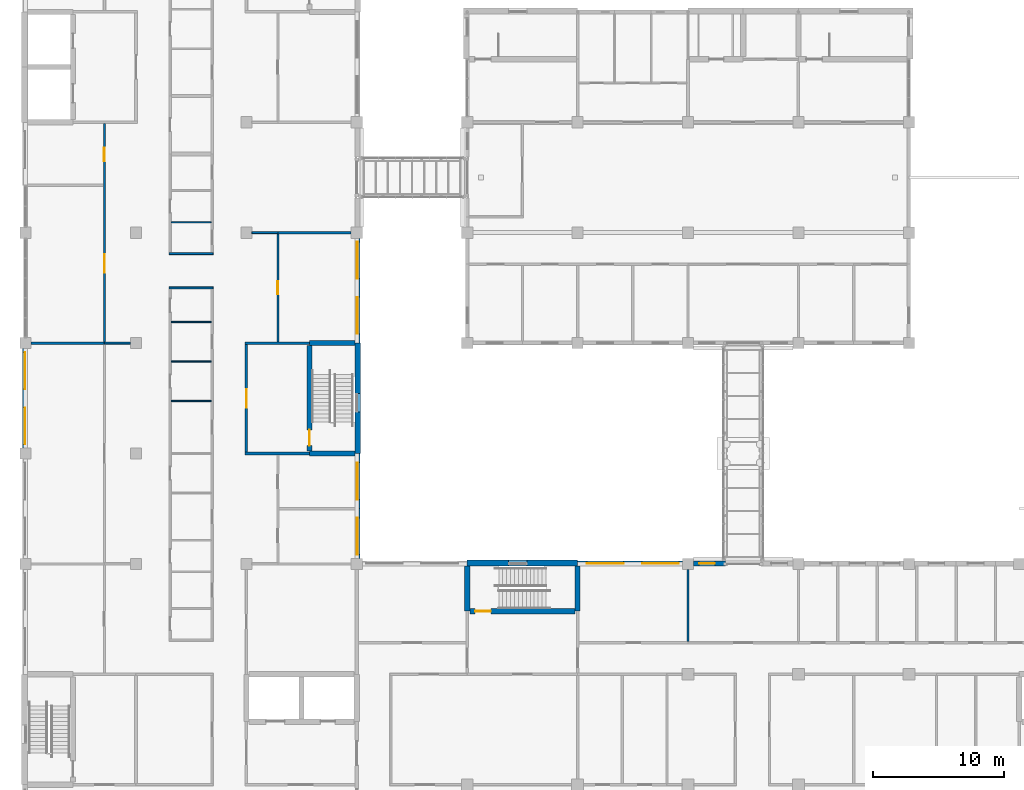
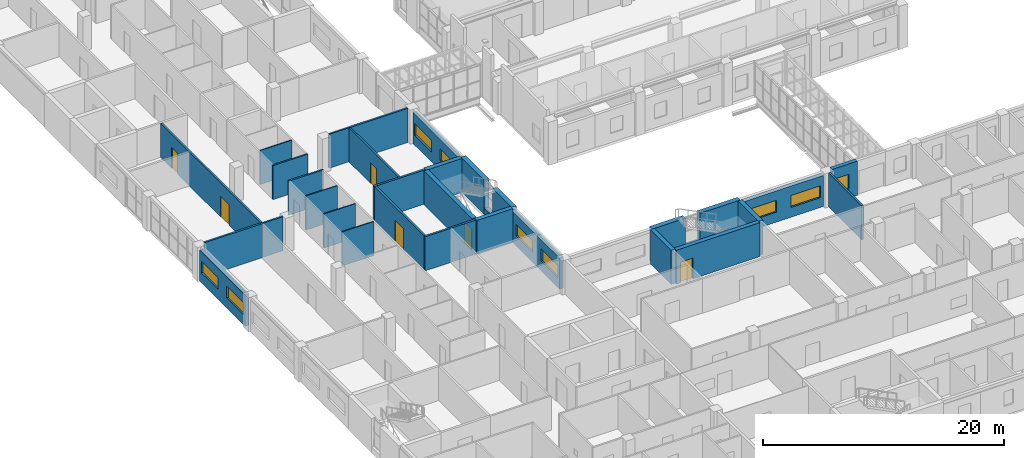
# One storey, part 56 of 94: 34 walls, 9 windows, 6 doors, 15 openings.
"""IFC4 building model written with IfcOpenShell, lengths in metres."""

from ifc_helpers import new_model, si_unit, direction, frame, frame_2d, origin, place, context, subcontext, project, spatial, rectangle, extrude, material, layer, layer_set, type_object, element, fill, save


model = new_model("IFC4")

# Units and contexts
model_context = context("Model", 3, precision=1e-05, world=origin(), true_north=direction((0.0, 1.0)))
body_context = subcontext(model_context, "Body", "Model", "MODEL_VIEW")
ifc_project = project(units=[si_unit("LENGTHUNIT", "METRE"), si_unit("AREAUNIT", "SQUARE_METRE"), si_unit("VOLUMEUNIT", "CUBIC_METRE"), si_unit("PLANEANGLEUNIT", "RADIAN"), si_unit("MASSUNIT", "GRAM", prefix="KILO")], contexts=[model_context])

# Site, building, storey
site_placement = place(None, origin())
site = spatial("IfcSite", under=ifc_project, at=site_placement, CompositionType="ELEMENT")
building_placement = place(site_placement, origin())
building = spatial("IfcBuilding", under=site, at=building_placement, Name="Yavir Park General Hospital", CompositionType="ELEMENT")
storey_placement = place(building_placement, frame((0.0, 0.0, 4.5)))
storey = spatial("IfcBuildingStorey", under=building, at=storey_placement, Name="L01", CompositionType="ELEMENT", Elevation=4.5)

# Walls
ifc_material_1 = material(Name="Double-leaf gypsum board acoustic partition on staggered studs")
ifc_layer_1 = layer(ifc_material_1, 0.175048828125)
ifc_layer_set_1 = layer_set([ifc_layer_1], Name="Double-leaf gypsum board acoustic partition on staggered studs")
wall_type_1 = type_object("IfcWallType", Name="Acoustic partition 175", PredefinedType="PARTITIONING", material=ifc_layer_set_1)
for number, where, z_axis, x_axis, name in (
    (1, (0.425048828125, 50.39990234375, 0.0), (0.0, 0.0, 1.0), (1.0, 0.0, 0.0), "AP175 L01-153"),
    (2, (19.199951171875, 58.800048828125, 0.0), (0.0, 0.0, 1.0), (1.0, 0.0, 0.0), "AP175 L01-173"),
):
    element("IfcWall", number, at=place(storey_placement, frame(where, z_axis=z_axis, x_axis=x_axis)), inside=storey, type_object=wall_type_1, Name=name, PredefinedType="PARTITIONING", context=body_context, shape_type="SweptSolid", body=[
        extrude(rectangle(XDim=5.574951171875, YDim=0.175048828125, at=frame_2d((2.78759765625, 0.0))), origin(), (0.0, 0.0, 1.0), 3.449951171875),
    ])

# Wall, openings, doors
wall_1_placement = place(storey_placement, frame((6.0, 50.487548828125, 0.0), z_axis=(0.0, 0.0, 1.0), x_axis=(0.0, 1.0, 0.0)))
wall_1 = element("IfcWall", 3, at=wall_1_placement, inside=storey, type_object=wall_type_1, Name="AP175 L01-280", PredefinedType="PARTITIONING", context=body_context, shape_type="SweptSolid", body=[
    extrude(rectangle(XDim=16.612548828125, YDim=0.175048828125, at=frame_2d((8.30615234375, 0.0))), origin(), (0.0, 0.0, 1.0), 3.449951171875),
])
opening_1_placement = place(wall_1_placement, frame((5.25634765625, 0.0, 0.0)))
opening_1 = element("IfcOpeningElement", 4, at=opening_1_placement, cuts=wall_1, Name="Opening L01.D170", PredefinedType="OPENING", context=body_context, shape_type="SweptSolid", body=[
    extrude(rectangle(XDim=1.39990234375, YDim=2.10009765625, at=frame_2d((0.699951171875, 1.050048828125))), frame((0.0, 0.097412109375, 0.0), z_axis=(0.0, -1.0, 0.0), x_axis=(1.0, 0.0, 0.0)), (0.0, 0.0, 1.0), 0.195068359375),
])
opening_2_placement = place(wall_1_placement, frame((13.762451171875, 0.0, 0.0)))
opening_2 = element("IfcOpeningElement", 5, at=opening_2_placement, cuts=wall_1, Name="Opening L01.D171", PredefinedType="OPENING", context=body_context, shape_type="SweptSolid", body=[
    extrude(rectangle(XDim=1.0, YDim=2.10009765625, at=frame_2d((0.5, 1.050048828125))), frame((0.0, 0.097412109375, 0.0), z_axis=(0.0, -1.0, 0.0), x_axis=(1.0, 0.0, 0.0)), (0.0, 0.0, 1.0), 0.195068359375),
])
ifc_material_2 = material(Name="Sealed solid-core acoustic door leaf, Rw 42 dB")
door_type_1 = type_object("IfcDoorType", Name="Acoustic door 1000 x 2100", OperationType="SINGLE_SWING_LEFT", PredefinedType="DOOR", material=ifc_material_2)
door_1_placement = place(opening_2_placement, origin())
door_1 = element("IfcDoor", 6, at=door_1_placement, inside=storey, type_object=door_type_1, Name="L01.D171", OperationType="SINGLE_SWING_RIGHT", OverallHeight=2.10009765625, OverallWidth=1.0, PredefinedType="DOOR", context=body_context, shape_type="SweptSolid", body=[
    extrude(rectangle(XDim=1.0, YDim=2.10009765625, at=frame_2d((0.5, 1.050048828125))), frame((0.0, 0.03515625, 0.0), z_axis=(0.0, -1.0, 0.0), x_axis=(1.0, 0.0, 0.0)), (0.0, 0.0, 1.0), 0.070068359375),
])
fill(opening_2, door_1)
ifc_material_3 = material(Name="Hollow metal frame, solid-core timber leaf", Category="wood")
door_type_2 = type_object("IfcDoorType", Name="Double swing door 1400 x 2100", OperationType="DOUBLE_DOOR_SINGLE_SWING", PredefinedType="DOOR", material=ifc_material_3)
door_2_placement = place(opening_1_placement, origin())
door_2 = element("IfcDoor", 7, at=door_2_placement, inside=storey, type_object=door_type_2, Name="L01.D170", OperationType="SINGLE_SWING_LEFT", OverallHeight=2.10009765625, OverallWidth=1.39990234375, PredefinedType="DOOR", context=body_context, shape_type="SweptSolid", body=[
    extrude(rectangle(XDim=1.39990234375, YDim=2.10009765625, at=frame_2d((0.699951171875, 1.050048828125))), frame((0.0, 0.02490234375, 0.0), z_axis=(0.0, -1.0, 0.0), x_axis=(1.0, 0.0, 0.0)), (0.0, 0.0, 1.0), 0.050048828125),
])
fill(opening_1, door_2)

# Wall, opening, door
wall_2_placement = place(storey_placement, frame((19.199951171875, 50.5, 0.0), z_axis=(0.0, 0.0, 1.0), x_axis=(0.0, 1.0, 0.0)))
wall_2 = element("IfcWall", 8, at=wall_2_placement, inside=storey, type_object=wall_type_1, Name="AP175 L01-309", PredefinedType="PARTITIONING", context=body_context, shape_type="SweptSolid", body=[
    extrude(rectangle(XDim=8.21240234375, YDim=0.175048828125, at=frame_2d((4.106201171875, 0.0))), origin(), (0.0, 0.0, 1.0), 3.449951171875),
])
opening_3_placement = place(wall_2_placement, frame((3.606201171875, 0.0, 0.0)))
opening_3 = element("IfcOpeningElement", 9, at=opening_3_placement, cuts=wall_2, Name="Opening L01.D215", PredefinedType="OPENING", context=body_context, shape_type="SweptSolid", body=[
    extrude(rectangle(XDim=1.0, YDim=2.10009765625, at=frame_2d((0.5, 1.050048828125))), frame((0.0, 0.097412109375, 0.0), z_axis=(0.0, -1.0, 0.0), x_axis=(1.0, 0.0, 0.0)), (0.0, 0.0, 1.0), 0.195068359375),
])
door_3_placement = place(opening_3_placement, origin())
door_3 = element("IfcDoor", 10, at=door_3_placement, inside=storey, type_object=door_type_1, Name="L01.D215", OperationType="SINGLE_SWING_LEFT", OverallHeight=2.10009765625, OverallWidth=1.0, PredefinedType="DOOR", context=body_context, shape_type="SweptSolid", body=[
    extrude(rectangle(XDim=1.0, YDim=2.10009765625, at=frame_2d((0.5, 1.050048828125))), frame((0.0, 0.03515625, 0.0), z_axis=(0.0, -1.0, 0.0), x_axis=(1.0, 0.0, 0.0)), (0.0, 0.0, 1.0), 0.070068359375),
])
fill(opening_3, door_3)

# Walls
wall_3_placement = place(storey_placement, frame((50.39990234375, 27.6875, 0.0), z_axis=(0.0, 0.0, 1.0), x_axis=(0.0, 1.0, 0.0)))
element("IfcWall", 11, at=wall_3_placement, inside=storey, type_object=wall_type_1, Name="AP175 L01-349", PredefinedType="PARTITIONING", context=body_context, shape_type="SweptSolid", body=[
    extrude(rectangle(XDim=5.487548828125, YDim=0.175048828125, at=frame_2d((2.74365234375, 0.0))), origin(), (0.0, 0.0, 1.0), 3.449951171875),
])
ifc_material_4 = material(Name="Double gypsum board fire partition on steel studs", Category="steel")
ifc_layer_2 = layer(ifc_material_4, 0.199951171875)
ifc_layer_set_2 = layer_set([ifc_layer_2], Name="Double gypsum board fire partition on steel studs")
wall_type_2 = type_object("IfcWallType", Name="Fire-rated partition 200, EI 60", PredefinedType="PARTITIONING", material=ifc_layer_set_2)
for number, where, z_axis, x_axis, name in (
    (12, (16.699951171875, 42.0, 0.0), (0.0, 0.0, 1.0), (1.0, 0.0, 0.0), "FP20 L01-142"),
    (13, (16.699951171875, 50.39990234375, 0.0), (0.0, 0.0, 1.0), (1.0, 0.0, 0.0), "FP20 L01-155"),
):
    element("IfcWall", number, at=place(storey_placement, frame(where, z_axis=z_axis, x_axis=x_axis)), inside=storey, type_object=wall_type_2, Name=name, PredefinedType="PARTITIONING", context=body_context, shape_type="SweptSolid", body=[
        extrude(rectangle(XDim=4.900146484375, YDim=0.199951171875, at=frame_2d((2.4501953125, 0.0))), origin(), (0.0, 0.0, 1.0), 3.449951171875),
    ])

# Wall, opening, door
wall_4_placement = place(storey_placement, frame((16.800048828125, 42.10009765625, 0.0), z_axis=(0.0, 0.0, 1.0), x_axis=(0.0, 1.0, 0.0)))
wall_4 = element("IfcWall", 14, at=wall_4_placement, inside=storey, type_object=wall_type_2, Name="FP20 L01-304", PredefinedType="PARTITIONING", context=body_context, shape_type="SweptSolid", body=[
    extrude(rectangle(XDim=8.199951171875, YDim=0.199951171875, at=frame_2d((4.10009765625, 0.0))), origin(), (0.0, 0.0, 1.0), 3.449951171875),
])
opening_4_placement = place(wall_4_placement, frame((3.39990234375, 0.0, 0.0)))
opening_4 = element("IfcOpeningElement", 15, at=opening_4_placement, cuts=wall_4, Name="Opening L01.D210", PredefinedType="OPENING", context=body_context, shape_type="SweptSolid", body=[
    extrude(rectangle(XDim=1.39990234375, YDim=2.10009765625, at=frame_2d((0.699951171875, 1.050048828125))), frame((0.0, 0.10986328125, 0.0), z_axis=(0.0, -1.0, 0.0), x_axis=(1.0, 0.0, 0.0)), (0.0, 0.0, 1.0), 0.219970703125),
])
ifc_material_5 = material(Name="Steel frame, fire-resisting leaves with vision panels", Category="steel")
door_type_3 = type_object("IfcDoorType", Name="Double fire door with vision panels 1400 x 2100, EI 60", OperationType="DOUBLE_DOOR_SINGLE_SWING", PredefinedType="DOOR", material=ifc_material_5)
door_4_placement = place(opening_4_placement, origin())
door_4 = element("IfcDoor", 16, at=door_4_placement, inside=storey, type_object=door_type_3, Name="L01.D210", OperationType="SINGLE_SWING_LEFT", OverallHeight=2.10009765625, OverallWidth=1.39990234375, PredefinedType="DOOR", context=body_context, shape_type="SweptSolid", body=[
    extrude(rectangle(XDim=1.39990234375, YDim=2.10009765625, at=frame_2d((0.699951171875, 1.050048828125))), frame((0.0, 0.030029296875, 0.0), z_axis=(0.0, -1.0, 0.0), x_axis=(1.0, 0.0, 0.0)), (0.0, 0.0, 1.0), 0.06005859375),
])
fill(opening_4, door_4)

# Walls
ifc_material_6 = material(Name="Gypsum board partition on steel studs", Category="steel")
ifc_layer_3 = layer(ifc_material_6, 0.10009765625)
ifc_layer_set_3 = layer_set([ifc_layer_3], Name="Gypsum board partition on steel studs")
wall_type_3 = type_object("IfcWallType", Name="Gypsum board partition 100", PredefinedType="PARTITIONING", material=ifc_layer_set_3)
for number, where, z_axis, x_axis, name in (
    (17, (11.074951171875, 46.0, 0.0), (0.0, 0.0, 1.0), (1.0, 0.0, 0.0), "P10 L01-148"),
    (18, (11.074951171875, 49.0, 0.0), (0.0, 0.0, 1.0), (1.0, 0.0, 0.0), "P10 L01-151"),
    (19, (11.074951171875, 52.0, 0.0), (0.0, 0.0, 1.0), (1.0, 0.0, 0.0), "P10 L01-162"),
    (20, (11.074951171875, 59.60009765625, 0.0), (0.0, 0.0, 1.0), (1.0, 0.0, 0.0), "P10 L01-178"),
):
    element("IfcWall", number, at=place(storey_placement, frame(where, z_axis=z_axis, x_axis=x_axis)), inside=storey, type_object=wall_type_3, Name=name, PredefinedType="PARTITIONING", context=body_context, shape_type="SweptSolid", body=[
        extrude(rectangle(XDim=3.050048828125, YDim=0.10009765625, at=frame_2d((1.52490234375, 0.0))), origin(), (0.0, 0.0, 1.0), 3.449951171875),
    ])
ifc_material_7 = material(Name="Gypsum board partition on steel studs", Category="steel")
ifc_layer_4 = layer(ifc_material_7, 0.14990234375)
ifc_layer_set_4 = layer_set([ifc_layer_4], Name="Gypsum board partition on steel studs")
wall_type_4 = type_object("IfcWallType", Name="Gypsum board partition 150", PredefinedType="PARTITIONING", material=ifc_layer_set_4)
wall_5_placement = place(storey_placement, frame((6.0, 50.39990234375, 0.0), z_axis=(0.0, 0.0, 1.0), x_axis=(1.0, 0.0, 0.0)))
element("IfcWall", 21, at=wall_5_placement, inside=storey, type_object=wall_type_4, Name="P15 L01-154", PredefinedType="PARTITIONING", context=body_context, shape_type="SweptSolid", body=[
    extrude(rectangle(XDim=1.97509765625, YDim=0.14990234375, at=frame_2d((0.987548828125, 0.0))), origin(), (0.0, 0.0, 1.0), 3.449951171875),
])
for number, where, z_axis, x_axis, name in (
    (22, (10.925048828125, 54.60009765625, 0.0), (0.0, 0.0, 1.0), (1.0, 0.0, 0.0), "P15 L01-164"),
    (23, (10.925048828125, 57.199951171875, 0.0), (0.0, 0.0, 1.0), (1.0, 0.0, 0.0), "P15 L01-171"),
):
    element("IfcWall", number, at=place(storey_placement, frame(where, z_axis=z_axis, x_axis=x_axis)), inside=storey, type_object=wall_type_4, Name=name, PredefinedType="PARTITIONING", context=body_context, shape_type="SweptSolid", body=[
        extrude(rectangle(XDim=3.349853515625, YDim=0.14990234375, at=frame_2d((1.6748046875, 0.0))), origin(), (0.0, 0.0, 1.0), 3.449951171875),
    ])
wall_6_placement = place(storey_placement, frame((17.22509765625, 58.800048828125, 0.0), z_axis=(0.0, 0.0, 1.0), x_axis=(1.0, 0.0, 0.0)))
element("IfcWall", 24, at=wall_6_placement, inside=storey, type_object=wall_type_4, Name="P15 L01-172", PredefinedType="PARTITIONING", context=body_context, shape_type="SweptSolid", body=[
    extrude(rectangle(XDim=1.974853515625, YDim=0.14990234375, at=frame_2d((0.9873046875, 0.0))), origin(), (0.0, 0.0, 1.0), 3.449951171875),
])

# Wall, openings, windows
ifc_material_8 = material(Name="Autoclaved aerated block, 150 mm mineral wool and sand-coloured mineral render")
ifc_layer_5 = layer(ifc_material_8, 0.375)
ifc_layer_set_5 = layer_set([ifc_layer_5], Name="Autoclaved aerated block, 150 mm mineral wool and sand-coloured mineral render")
wall_type_5 = type_object("IfcWallType", Name="Mineral render clinical wall 375, E 30", PredefinedType="SOLIDWALL", material=ifc_layer_set_5)
wall_7_placement = place(storey_placement, frame((42.0, 33.637451171875, 0.0), z_axis=(0.0, 0.0, 1.0), x_axis=(1.0, 0.0, 0.0)))
wall_7 = element("IfcWall", 25, at=wall_7_placement, inside=storey, type_object=wall_type_5, Name="XW1 L01-056", PredefinedType="SOLIDWALL", context=body_context, shape_type="SweptSolid", body=[
    extrude(rectangle(XDim=7.97509765625, YDim=0.375, at=frame_2d((3.987548828125, 0.0))), origin(), (0.0, 0.0, 1.0), 3.14990234375),
])
opening_5_placement = place(wall_7_placement, frame((0.699951171875, 0.0, 1.0)))
opening_5 = element("IfcOpeningElement", 26, at=opening_5_placement, cuts=wall_7, Name="Opening WRB", PredefinedType="OPENING", context=body_context, shape_type="SweptSolid", body=[
    extrude(rectangle(XDim=2.800048828125, YDim=1.199951171875, at=frame_2d((1.39990234375, 0.60009765625))), frame((0.0, 0.197509765625, 0.0), z_axis=(0.0, -1.0, 0.0), x_axis=(1.0, 0.0, 0.0)), (0.0, 0.0, 1.0), 0.39501953125),
])
opening_6_placement = place(wall_7_placement, frame((4.89990234375, 0.0, 1.0)))
opening_6 = element("IfcOpeningElement", 27, at=opening_6_placement, cuts=wall_7, Name="Opening WRB", PredefinedType="OPENING", context=body_context, shape_type="SweptSolid", body=[
    extrude(rectangle(XDim=2.800048828125, YDim=1.199951171875, at=frame_2d((1.39990234375, 0.60009765625))), frame((0.0, 0.197509765625, 0.0), z_axis=(0.0, -1.0, 0.0), x_axis=(1.0, 0.0, 0.0)), (0.0, 0.0, 1.0), 0.39501953125),
])
ifc_material_9 = material(Name="Aluminium frame, double glazed unit", Category="aluminium")
window_type_1 = type_object("IfcWindowType", Name="Ribbon window 2800 x 1200", PartitioningType="DOUBLE_PANEL_VERTICAL", PredefinedType="WINDOW", material=ifc_material_9)
window_1_placement = place(opening_5_placement, origin())
window_1 = element("IfcWindow", 28, at=window_1_placement, inside=storey, type_object=window_type_1, Name="WRB L01-030", OverallHeight=1.199951171875, OverallWidth=2.800048828125, PartitioningType="DOUBLE_PANEL_VERTICAL", PredefinedType="WINDOW", context=body_context, shape_type="SweptSolid", body=[
    extrude(rectangle(XDim=2.800048828125, YDim=1.199951171875, at=frame_2d((1.39990234375, 0.60009765625))), frame((0.0, 0.030029296875, 0.0), z_axis=(0.0, -1.0, 0.0), x_axis=(1.0, 0.0, 0.0)), (0.0, 0.0, 1.0), 0.06005859375),
])
fill(opening_5, window_1)
window_2_placement = place(opening_6_placement, origin())
window_2 = element("IfcWindow", 29, at=window_2_placement, inside=storey, type_object=window_type_1, Name="WRB L01-031", OverallHeight=1.199951171875, OverallWidth=2.800048828125, PartitioningType="DOUBLE_PANEL_VERTICAL", PredefinedType="WINDOW", context=body_context, shape_type="SweptSolid", body=[
    extrude(rectangle(XDim=2.800048828125, YDim=1.199951171875, at=frame_2d((1.39990234375, 0.60009765625))), frame((0.0, 0.030029296875, 0.0), z_axis=(0.0, -1.0, 0.0), x_axis=(1.0, 0.0, 0.0)), (0.0, 0.0, 1.0), 0.06005859375),
])
fill(opening_6, window_2)

# Wall, opening, window
wall_8_placement = place(storey_placement, frame((50.824951171875, 33.637451171875, 0.0), z_axis=(0.0, 0.0, 1.0), x_axis=(1.0, 0.0, 0.0)))
wall_8 = element("IfcWall", 30, at=wall_8_placement, inside=storey, type_object=wall_type_5, Name="XW1 L01-057", PredefinedType="SOLIDWALL", context=body_context, shape_type="SweptSolid", body=[
    extrude(rectangle(XDim=2.425048828125, YDim=0.375, at=frame_2d((1.21240234375, 0.0))), origin(), (0.0, 0.0, 1.0), 3.449951171875),
])
opening_7_placement = place(wall_8_placement, frame((0.425048828125, 0.0, 0.89990234375)))
opening_7 = element("IfcOpeningElement", 31, at=opening_7_placement, cuts=wall_8, Name="Opening WD", PredefinedType="OPENING", context=body_context, shape_type="SweptSolid", body=[
    extrude(rectangle(XDim=1.199951171875, YDim=1.5, at=frame_2d((0.60009765625, 0.75))), frame((0.0, 0.197509765625, 0.0), z_axis=(0.0, -1.0, 0.0), x_axis=(1.0, 0.0, 0.0)), (0.0, 0.0, 1.0), 0.39501953125),
])
ifc_material_10 = material(Name="Aluminium frame, double glazed unit", Category="aluminium")
window_type_2 = type_object("IfcWindowType", Name="Office window 1200 x 1500", PartitioningType="SINGLE_PANEL", PredefinedType="WINDOW", material=ifc_material_10)
window_3_placement = place(opening_7_placement, origin())
window_3 = element("IfcWindow", 32, at=window_3_placement, inside=storey, type_object=window_type_2, Name="WD L01-032", OverallHeight=1.5, OverallWidth=1.199951171875, PartitioningType="SINGLE_PANEL", PredefinedType="WINDOW", context=body_context, shape_type="SweptSolid", body=[
    extrude(rectangle(XDim=1.199951171875, YDim=1.5, at=frame_2d((0.60009765625, 0.75))), frame((0.0, 0.030029296875, 0.0), z_axis=(0.0, -1.0, 0.0), x_axis=(1.0, 0.0, 0.0)), (0.0, 0.0, 1.0), 0.06005859375),
])
fill(opening_7, window_3)

# Wall, openings, windows
wall_9_placement = place(storey_placement, frame((-0.03759765625, 42.425048828125, 0.0), z_axis=(0.0, 0.0, 1.0), x_axis=(0.0, 1.0, 0.0)))
wall_9 = element("IfcWall", 33, at=wall_9_placement, inside=storey, type_object=wall_type_5, Name="XW1 L01-143", PredefinedType="SOLIDWALL", context=body_context, shape_type="SweptSolid", body=[
    extrude(rectangle(XDim=7.550048828125, YDim=0.375, at=frame_2d((3.77490234375, 0.0))), origin(), (0.0, 0.0, 1.0), 3.14990234375),
])
opening_8_placement = place(wall_9_placement, frame((0.27490234375, 0.0, 1.0)))
opening_8 = element("IfcOpeningElement", 34, at=opening_8_placement, cuts=wall_9, Name="Opening WRB", PredefinedType="OPENING", context=body_context, shape_type="SweptSolid", body=[
    extrude(rectangle(XDim=2.800048828125, YDim=1.199951171875, at=frame_2d((1.39990234375, 0.60009765625))), frame((0.0, 0.197509765625, 0.0), z_axis=(0.0, -1.0, 0.0), x_axis=(1.0, 0.0, 0.0)), (0.0, 0.0, 1.0), 0.39501953125),
])
opening_9_placement = place(wall_9_placement, frame((4.47509765625, 0.0, 1.0)))
opening_9 = element("IfcOpeningElement", 35, at=opening_9_placement, cuts=wall_9, Name="Opening WRB", PredefinedType="OPENING", context=body_context, shape_type="SweptSolid", body=[
    extrude(rectangle(XDim=2.800048828125, YDim=1.199951171875, at=frame_2d((1.39990234375, 0.60009765625))), frame((0.0, 0.197509765625, 0.0), z_axis=(0.0, -1.0, 0.0), x_axis=(1.0, 0.0, 0.0)), (0.0, 0.0, 1.0), 0.39501953125),
])
window_4_placement = place(opening_8_placement, origin())
window_4 = element("IfcWindow", 36, at=window_4_placement, inside=storey, type_object=window_type_1, Name="WRB L01-079", OverallHeight=1.199951171875, OverallWidth=2.800048828125, PartitioningType="DOUBLE_PANEL_VERTICAL", PredefinedType="WINDOW", context=body_context, shape_type="SweptSolid", body=[
    extrude(rectangle(XDim=2.800048828125, YDim=1.199951171875, at=frame_2d((1.39990234375, 0.60009765625))), frame((0.0, 0.030029296875, 0.0), z_axis=(0.0, -1.0, 0.0), x_axis=(1.0, 0.0, 0.0)), (0.0, 0.0, 1.0), 0.06005859375),
])
fill(opening_8, window_4)
window_5_placement = place(opening_9_placement, origin())
window_5 = element("IfcWindow", 37, at=window_5_placement, inside=storey, type_object=window_type_1, Name="WRB L01-080", OverallHeight=1.199951171875, OverallWidth=2.800048828125, PartitioningType="DOUBLE_PANEL_VERTICAL", PredefinedType="WINDOW", context=body_context, shape_type="SweptSolid", body=[
    extrude(rectangle(XDim=2.800048828125, YDim=1.199951171875, at=frame_2d((1.39990234375, 0.60009765625))), frame((0.0, 0.030029296875, 0.0), z_axis=(0.0, -1.0, 0.0), x_axis=(1.0, 0.0, 0.0)), (0.0, 0.0, 1.0), 0.06005859375),
])
fill(opening_9, window_5)

# Wall, opening, window
wall_10_placement = place(storey_placement, frame((25.237548828125, 34.02490234375, 0.0), z_axis=(0.0, 0.0, 1.0), x_axis=(0.0, 1.0, 0.0)))
wall_10 = element("IfcWall", 38, at=wall_10_placement, inside=storey, type_object=wall_type_5, Name="XW1 L01-154", PredefinedType="SOLIDWALL", context=body_context, shape_type="SweptSolid", body=[
    extrude(rectangle(XDim=3.775146484375, YDim=0.375, at=frame_2d((1.8876953125, 0.0))), origin(), (0.0, 0.0, 1.0), 3.14990234375),
])
opening_10_placement = place(wall_10_placement, frame((0.27490234375, 0.0, 1.0)))
opening_10 = element("IfcOpeningElement", 39, at=opening_10_placement, cuts=wall_10, Name="Opening WRB", PredefinedType="OPENING", context=body_context, shape_type="SweptSolid", body=[
    extrude(rectangle(XDim=2.800048828125, YDim=1.199951171875, at=frame_2d((1.39990234375, 0.60009765625))), frame((0.0, 0.197509765625, 0.0), z_axis=(0.0, -1.0, 0.0), x_axis=(1.0, 0.0, 0.0)), (0.0, 0.0, 1.0), 0.39501953125),
])
window_6_placement = place(opening_10_placement, origin())
window_6 = element("IfcWindow", 40, at=window_6_placement, inside=storey, type_object=window_type_1, Name="WRB L01-088", OverallHeight=1.199951171875, OverallWidth=2.800048828125, PartitioningType="DOUBLE_PANEL_VERTICAL", PredefinedType="WINDOW", context=body_context, shape_type="SweptSolid", body=[
    extrude(rectangle(XDim=2.800048828125, YDim=1.199951171875, at=frame_2d((1.39990234375, 0.60009765625))), frame((0.0, 0.030029296875, 0.0), z_axis=(0.0, -1.0, 0.0), x_axis=(1.0, 0.0, 0.0)), (0.0, 0.0, 1.0), 0.06005859375),
])
fill(opening_10, window_6)

wall_11_placement = place(storey_placement, frame((25.237548828125, 37.800048828125, 0.0), z_axis=(0.0, 0.0, 1.0), x_axis=(0.0, 1.0, 0.0)))
wall_11 = element("IfcWall", 41, at=wall_11_placement, inside=storey, type_object=wall_type_5, Name="XW1 L01-155", PredefinedType="SOLIDWALL", context=body_context, shape_type="SweptSolid", body=[
    extrude(rectangle(XDim=4.199951171875, YDim=0.375, at=frame_2d((2.10009765625, 0.0))), origin(), (0.0, 0.0, 1.0), 3.14990234375),
])
opening_11_placement = place(wall_11_placement, frame((0.699951171875, 0.0, 1.0)))
opening_11 = element("IfcOpeningElement", 42, at=opening_11_placement, cuts=wall_11, Name="Opening WRB", PredefinedType="OPENING", context=body_context, shape_type="SweptSolid", body=[
    extrude(rectangle(XDim=2.800048828125, YDim=1.199951171875, at=frame_2d((1.39990234375, 0.60009765625))), frame((0.0, 0.197509765625, 0.0), z_axis=(0.0, -1.0, 0.0), x_axis=(1.0, 0.0, 0.0)), (0.0, 0.0, 1.0), 0.39501953125),
])
window_7_placement = place(opening_11_placement, origin())
window_7 = element("IfcWindow", 43, at=window_7_placement, inside=storey, type_object=window_type_1, Name="WRB L01-089", OverallHeight=1.199951171875, OverallWidth=2.800048828125, PartitioningType="DOUBLE_PANEL_VERTICAL", PredefinedType="WINDOW", context=body_context, shape_type="SweptSolid", body=[
    extrude(rectangle(XDim=2.800048828125, YDim=1.199951171875, at=frame_2d((1.39990234375, 0.60009765625))), frame((0.0, 0.030029296875, 0.0), z_axis=(0.0, -1.0, 0.0), x_axis=(1.0, 0.0, 0.0)), (0.0, 0.0, 1.0), 0.06005859375),
])
fill(opening_11, window_7)

# Wall, openings, windows
wall_12_placement = place(storey_placement, frame((25.237548828125, 50.39990234375, 0.0), z_axis=(0.0, 0.0, 1.0), x_axis=(0.0, 1.0, 0.0)))
wall_12 = element("IfcWall", 44, at=wall_12_placement, inside=storey, type_object=wall_type_5, Name="XW1 L01-159", PredefinedType="SOLIDWALL", context=body_context, shape_type="SweptSolid", body=[
    extrude(rectangle(XDim=7.97509765625, YDim=0.375, at=frame_2d((3.987548828125, 0.0))), origin(), (0.0, 0.0, 1.0), 3.14990234375),
])
opening_12_placement = place(wall_12_placement, frame((0.699951171875, 0.0, 1.0)))
opening_12 = element("IfcOpeningElement", 45, at=opening_12_placement, cuts=wall_12, Name="Opening WRB", PredefinedType="OPENING", context=body_context, shape_type="SweptSolid", body=[
    extrude(rectangle(XDim=2.800048828125, YDim=1.199951171875, at=frame_2d((1.39990234375, 0.60009765625))), frame((0.0, 0.197509765625, 0.0), z_axis=(0.0, -1.0, 0.0), x_axis=(1.0, 0.0, 0.0)), (0.0, 0.0, 1.0), 0.39501953125),
])
opening_13_placement = place(wall_12_placement, frame((4.89990234375, 0.0, 1.0)))
opening_13 = element("IfcOpeningElement", 46, at=opening_13_placement, cuts=wall_12, Name="Opening WRB", PredefinedType="OPENING", context=body_context, shape_type="SweptSolid", body=[
    extrude(rectangle(XDim=2.800048828125, YDim=1.199951171875, at=frame_2d((1.39990234375, 0.60009765625))), frame((0.0, 0.197509765625, 0.0), z_axis=(0.0, -1.0, 0.0), x_axis=(1.0, 0.0, 0.0)), (0.0, 0.0, 1.0), 0.39501953125),
])
window_8_placement = place(opening_12_placement, origin())
window_8 = element("IfcWindow", 47, at=window_8_placement, inside=storey, type_object=window_type_1, Name="WRB L01-090", OverallHeight=1.199951171875, OverallWidth=2.800048828125, PartitioningType="DOUBLE_PANEL_VERTICAL", PredefinedType="WINDOW", context=body_context, shape_type="SweptSolid", body=[
    extrude(rectangle(XDim=2.800048828125, YDim=1.199951171875, at=frame_2d((1.39990234375, 0.60009765625))), frame((0.0, 0.030029296875, 0.0), z_axis=(0.0, -1.0, 0.0), x_axis=(1.0, 0.0, 0.0)), (0.0, 0.0, 1.0), 0.06005859375),
])
fill(opening_12, window_8)
window_9_placement = place(opening_13_placement, origin())
window_9 = element("IfcWindow", 48, at=window_9_placement, inside=storey, type_object=window_type_1, Name="WRB L01-091", OverallHeight=1.199951171875, OverallWidth=2.800048828125, PartitioningType="DOUBLE_PANEL_VERTICAL", PredefinedType="WINDOW", context=body_context, shape_type="SweptSolid", body=[
    extrude(rectangle(XDim=2.800048828125, YDim=1.199951171875, at=frame_2d((1.39990234375, 0.60009765625))), frame((0.0, 0.030029296875, 0.0), z_axis=(0.0, -1.0, 0.0), x_axis=(1.0, 0.0, 0.0)), (0.0, 0.0, 1.0), 0.06005859375),
])
fill(opening_13, window_9)

# Wall, opening, door
ifc_material_11 = material(Name="Concrete C35/45", Category="concrete")
ifc_layer_6 = layer(ifc_material_11, 0.39990234375)
ifc_layer_set_6 = layer_set([ifc_layer_6], Name="Concrete C35/45")
wall_type_6 = type_object("IfcWallType", Name="Reinforced concrete core wall 400, REI 150", PredefinedType="SHEAR", material=ifc_layer_set_6)
wall_13_placement = place(storey_placement, frame((33.800048828125, 30.0, 0.0), z_axis=(0.0, 0.0, 1.0), x_axis=(1.0, 0.0, 0.0)))
wall_13 = element("IfcWall", 49, at=wall_13_placement, inside=storey, type_object=wall_type_6, Name="CW40 L01-123", PredefinedType="SHEAR", context=body_context, shape_type="SweptSolid", body=[
    extrude(rectangle(XDim=8.0, YDim=0.39990234375, at=frame_2d((4.0, 0.0))), origin(), (0.0, 0.0, 1.0), 3.449951171875),
])
opening_14_placement = place(wall_13_placement, frame((0.39990234375, 0.0, 0.0)))
opening_14 = element("IfcOpeningElement", 50, at=opening_14_placement, cuts=wall_13, Name="Opening L01.D141", PredefinedType="OPENING", context=body_context, shape_type="SweptSolid", body=[
    extrude(rectangle(XDim=1.199951171875, YDim=2.10009765625, at=frame_2d((0.60009765625, 1.050048828125))), frame((0.0, 0.2099609375, 0.0), z_axis=(0.0, -1.0, 0.0), x_axis=(1.0, 0.0, 0.0)), (0.0, 0.0, 1.0), 0.419921875),
])
ifc_material_12 = material(Name="Steel frame, fire-resisting timber leaf", Category="steel")
door_type_4 = type_object("IfcDoorType", Name="Fire door 1200 x 2100, EI 60", OperationType="SINGLE_SWING_LEFT", PredefinedType="DOOR", material=ifc_material_12)
door_5_placement = place(opening_14_placement, origin())
door_5 = element("IfcDoor", 51, at=door_5_placement, inside=storey, type_object=door_type_4, Name="L01.D141", OperationType="SINGLE_SWING_RIGHT", OverallHeight=2.10009765625, OverallWidth=1.199951171875, PredefinedType="DOOR", context=body_context, shape_type="SweptSolid", body=[
    extrude(rectangle(XDim=1.199951171875, YDim=2.10009765625, at=frame_2d((0.60009765625, 1.050048828125))), frame((0.0, 0.02490234375, 0.0), z_axis=(0.0, -1.0, 0.0), x_axis=(1.0, 0.0, 0.0)), (0.0, 0.0, 1.0), 0.050048828125),
])
fill(opening_14, door_5)

# Walls
for number, where, z_axis, x_axis, name in (
    (52, (21.60009765625, 42.0, 0.0), (0.0, 0.0, 1.0), (1.0, 0.0, 0.0), "CW40 L01-143"),
    (53, (21.60009765625, 50.39990234375, 0.0), (0.0, 0.0, 1.0), (1.0, 0.0, 0.0), "CW40 L01-156"),
):
    element("IfcWall", number, at=place(storey_placement, frame(where, z_axis=z_axis, x_axis=x_axis)), inside=storey, type_object=wall_type_6, Name=name, PredefinedType="SHEAR", context=body_context, shape_type="SweptSolid", body=[
        extrude(rectangle(XDim=3.449951171875, YDim=0.39990234375, at=frame_2d((1.72509765625, 0.0))), origin(), (0.0, 0.0, 1.0), 3.449951171875),
    ])

# Wall, opening, door
wall_14_placement = place(storey_placement, frame((21.60009765625, 42.199951171875, 0.0), z_axis=(0.0, 0.0, 1.0), x_axis=(0.0, 1.0, 0.0)))
wall_14 = element("IfcWall", 54, at=wall_14_placement, inside=storey, type_object=wall_type_6, Name="CW40 L01-314", PredefinedType="SHEAR", context=body_context, shape_type="SweptSolid", body=[
    extrude(rectangle(XDim=8.0, YDim=0.39990234375, at=frame_2d((4.0, 0.0))), origin(), (0.0, 0.0, 1.0), 3.449951171875),
])
opening_15_placement = place(wall_14_placement, frame((0.39990234375, 0.0, 0.0)))
opening_15 = element("IfcOpeningElement", 55, at=opening_15_placement, cuts=wall_14, Name="Opening L01.D221", PredefinedType="OPENING", context=body_context, shape_type="SweptSolid", body=[
    extrude(rectangle(XDim=1.199951171875, YDim=2.10009765625, at=frame_2d((0.60009765625, 1.050048828125))), frame((0.0, 0.2099609375, 0.0), z_axis=(0.0, -1.0, 0.0), x_axis=(1.0, 0.0, 0.0)), (0.0, 0.0, 1.0), 0.419921875),
])
door_6_placement = place(opening_15_placement, origin())
door_6 = element("IfcDoor", 56, at=door_6_placement, inside=storey, type_object=door_type_4, Name="L01.D221", OperationType="SINGLE_SWING_LEFT", OverallHeight=2.10009765625, OverallWidth=1.199951171875, PredefinedType="DOOR", context=body_context, shape_type="SweptSolid", body=[
    extrude(rectangle(XDim=1.199951171875, YDim=2.10009765625, at=frame_2d((0.60009765625, 1.050048828125))), frame((0.0, 0.02490234375, 0.0), z_axis=(0.0, -1.0, 0.0), x_axis=(1.0, 0.0, 0.0)), (0.0, 0.0, 1.0), 0.050048828125),
])
fill(opening_15, door_6)

# Walls
for number, where, z_axis, x_axis, name in (
    (57, (33.60009765625, 30.0, 0.0), (0.0, 0.0, 1.0), (0.0, 1.0, 0.0), "CW40 L01-330"),
    (58, (42.0, 30.0, 0.0), (0.0, 0.0, 1.0), (0.0, 1.0, 0.0), "CW40 L01-338"),
):
    element("IfcWall", number, at=place(storey_placement, frame(where, z_axis=z_axis, x_axis=x_axis)), inside=storey, type_object=wall_type_6, Name=name, PredefinedType="SHEAR", context=body_context, shape_type="SweptSolid", body=[
        extrude(rectangle(XDim=3.449951171875, YDim=0.39990234375, at=frame_2d((1.72509765625, 0.0))), origin(), (0.0, 0.0, 1.0), 3.449951171875),
    ])
ifc_material_13 = material(Name="Concrete C30/37 precast panel with 150 mm mineral wool insulation", Category="concrete")
ifc_layer_7 = layer(ifc_material_13, 0.449951171875)
ifc_layer_set_7 = layer_set([ifc_layer_7], Name="Concrete C30/37 precast panel with 150 mm mineral wool insulation")
wall_type_7 = type_object("IfcWallType", Name="Stair enclosure wall 450, REI 150", PredefinedType="SOLIDWALL", material=ifc_layer_set_7)
wall_15_placement = place(storey_placement, frame((33.60009765625, 33.675048828125, 0.0), z_axis=(0.0, 0.0, 1.0), x_axis=(1.0, 0.0, 0.0)))
element("IfcWall", 59, at=wall_15_placement, inside=storey, type_object=wall_type_7, Name="XW6 L01-053", PredefinedType="SOLIDWALL", context=body_context, shape_type="SweptSolid", body=[
    extrude(rectangle(XDim=3.14990234375, YDim=0.449951171875, at=frame_2d((1.574951171875, 0.0))), origin(), (0.0, 0.0, 1.0), 3.449951171875),
])
wall_16_placement = place(storey_placement, frame((38.14990234375, 33.675048828125, 0.0), z_axis=(0.0, 0.0, 1.0), x_axis=(1.0, 0.0, 0.0)))
element("IfcWall", 60, at=wall_16_placement, inside=storey, type_object=wall_type_7, Name="XW6 L01-054", PredefinedType="SOLIDWALL", context=body_context, shape_type="SweptSolid", body=[
    extrude(rectangle(XDim=3.85009765625, YDim=0.449951171875, at=frame_2d((1.925048828125, 0.0))), origin(), (0.0, 0.0, 1.0), 3.449951171875),
])
wall_17_placement = place(storey_placement, frame((36.75, 33.675048828125, 0.0), z_axis=(0.0, 0.0, 1.0), x_axis=(1.0, 0.0, 0.0)))
element("IfcWall", 61, at=wall_17_placement, inside=storey, type_object=wall_type_7, Name="XW6 L01-055", PredefinedType="SOLIDWALL", context=body_context, shape_type="SweptSolid", body=[
    extrude(rectangle(XDim=1.39990234375, YDim=0.449951171875, at=frame_2d((0.699951171875, 0.0))), origin(), (0.0, 0.0, 1.0), 0.60009765625),
])
wall_18_placement = place(storey_placement, frame((25.27490234375, 42.0, 0.0), z_axis=(0.0, 0.0, 1.0), x_axis=(0.0, 1.0, 0.0)))
element("IfcWall", 62, at=wall_18_placement, inside=storey, type_object=wall_type_7, Name="XW6 L01-156", PredefinedType="SOLIDWALL", context=body_context, shape_type="SweptSolid", body=[
    extrude(rectangle(XDim=3.14990234375, YDim=0.449951171875, at=frame_2d((1.574951171875, 0.0))), origin(), (0.0, 0.0, 1.0), 3.449951171875),
])
wall_19_placement = place(storey_placement, frame((25.27490234375, 46.550048828125, 0.0), z_axis=(0.0, 0.0, 1.0), x_axis=(0.0, 1.0, 0.0)))
element("IfcWall", 63, at=wall_19_placement, inside=storey, type_object=wall_type_7, Name="XW6 L01-157", PredefinedType="SOLIDWALL", context=body_context, shape_type="SweptSolid", body=[
    extrude(rectangle(XDim=3.849853515625, YDim=0.449951171875, at=frame_2d((1.9248046875, 0.0))), origin(), (0.0, 0.0, 1.0), 3.449951171875),
])
wall_20_placement = place(storey_placement, frame((25.27490234375, 45.14990234375, 0.0), z_axis=(0.0, 0.0, 1.0), x_axis=(0.0, 1.0, 0.0)))
element("IfcWall", 64, at=wall_20_placement, inside=storey, type_object=wall_type_7, Name="XW6 L01-158", PredefinedType="SOLIDWALL", context=body_context, shape_type="SweptSolid", body=[
    extrude(rectangle(XDim=1.400146484375, YDim=0.449951171875, at=frame_2d((0.7001953125, 0.0))), origin(), (0.0, 0.0, 1.0), 0.60009765625),
])

save(model, "model.ifc")
